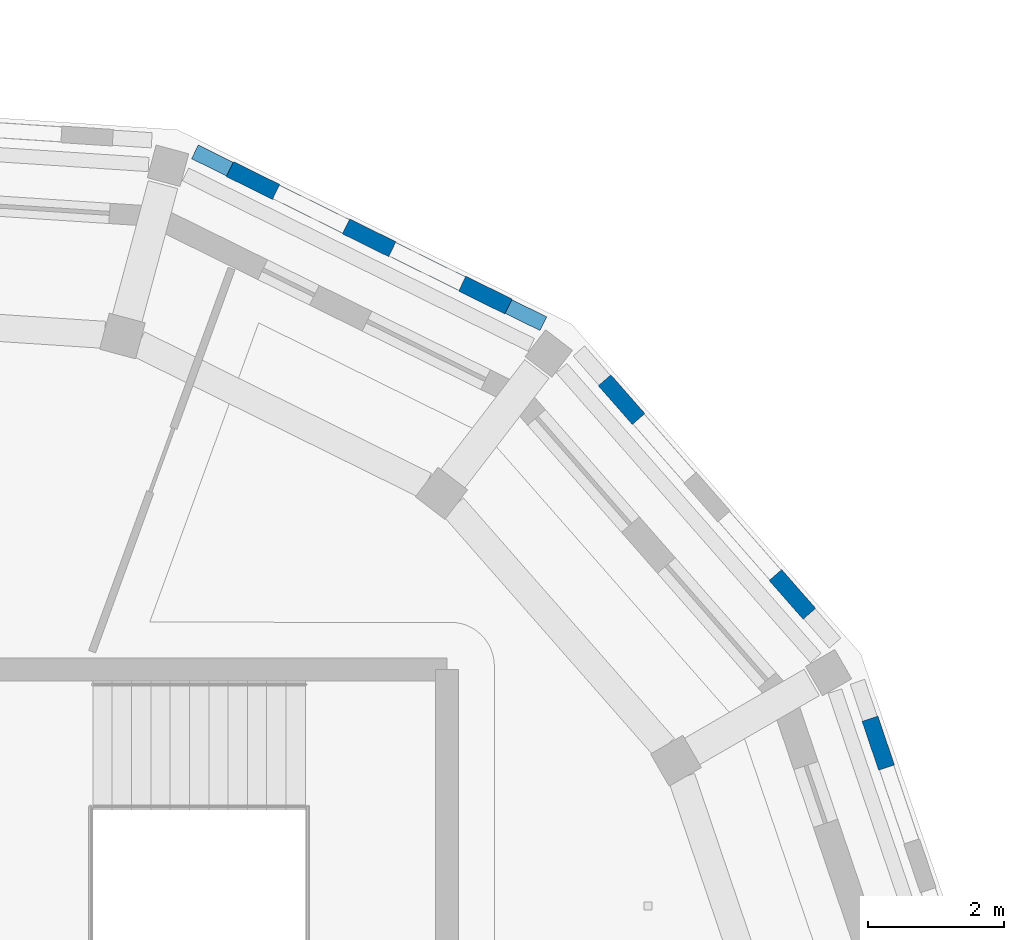
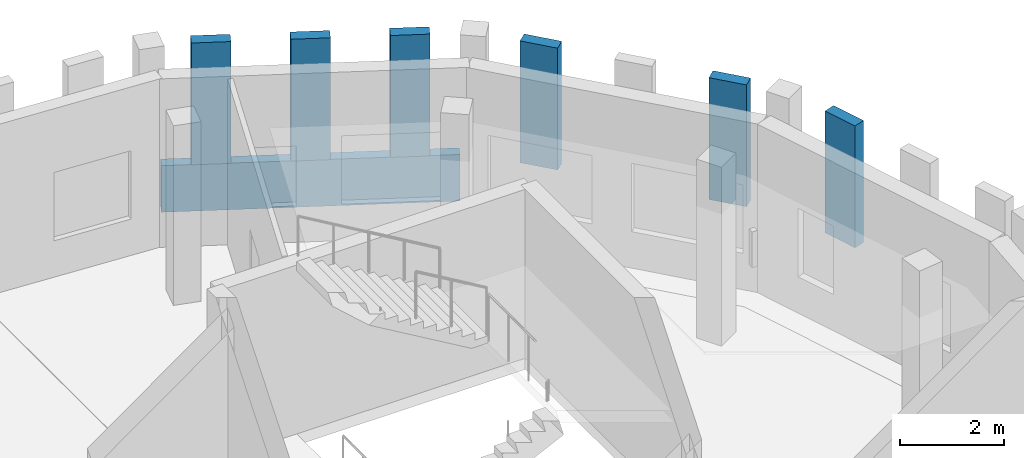
# One storey, part 72 of 90: 7 walls.
"""IFC4 building model written with IfcOpenShell, lengths in metres."""

from ifc_helpers import new_model, si_unit, direction, frame, frame_2d, origin, place, context, subcontext, project, spatial, rectangle, extrude, material, layer, layer_set, type_object, element, save


model = new_model("IFC4")

# Units and contexts
model_context = context("Model", 3, precision=1e-05, world=origin(), true_north=direction((0.0, 1.0)))
body_context = subcontext(model_context, "Body", "Model", "MODEL_VIEW")
ifc_project = project(units=[si_unit("LENGTHUNIT", "METRE"), si_unit("AREAUNIT", "SQUARE_METRE"), si_unit("VOLUMEUNIT", "CUBIC_METRE"), si_unit("PLANEANGLEUNIT", "RADIAN"), si_unit("MASSUNIT", "GRAM", prefix="KILO")], contexts=[model_context])

# Site, building, storey
site_placement = place(None, origin())
site = spatial("IfcSite", under=ifc_project, at=site_placement, CompositionType="ELEMENT")
building_placement = place(site_placement, origin())
building = spatial("IfcBuilding", under=site, at=building_placement, Name="Wrenclough Park School", CompositionType="ELEMENT")
storey_placement = place(building_placement, frame((0.0, 0.0, 8.39990234375)))
storey = spatial("IfcBuildingStorey", under=building, at=storey_placement, Name="L02", CompositionType="ELEMENT", Elevation=8.39990234375)

# Walls
ifc_material_1 = material(Name="Perforated open-bond Staffordshire and Manchester brick screen pier", Category="masonry")
ifc_layer_1 = layer(ifc_material_1, 0.2451171875)
ifc_layer_set_1 = layer_set([ifc_layer_1], Name="Perforated open-bond Staffordshire and Manchester brick screen pier")
wall_type_1 = type_object("IfcWallType", Name="ENV-BS-PR245", PredefinedType="ELEMENTEDWALL", material=ifc_layer_set_1)
wall_1_placement = place(storey_placement, frame((189.25439453125, 100.125, 1.090087890625), z_axis=(0.0, 0.0, 1.0), x_axis=(-0.321332364617, 0.946966478525, 0.0)))
element("IfcWall", 1, at=wall_1_placement, inside=storey, type_object=wall_type_1, Name="D5 L02 perforated brick screen pier 0588", PredefinedType="ELEMENTEDWALL", context=body_context, shape_type="SweptSolid", body=[
    extrude(rectangle(XDim=0.759765625, YDim=0.2451171875, at=frame_2d((0.3798828125, 0.0))), origin(), (0.0, 0.0, 1.0), 2.85009765625),
])
wall_2_placement = place(storey_placement, frame((188.115966796875, 102.393798828125, 1.090087890625), z_axis=(0.0, 0.0, 1.0), x_axis=(-0.659504701015, 0.751700438565, 0.0)))
element("IfcWall", 2, at=wall_2_placement, inside=storey, type_object=wall_type_1, Name="D5 L02 perforated brick screen pier 0589", PredefinedType="ELEMENTEDWALL", context=body_context, shape_type="SweptSolid", body=[
    extrude(rectangle(XDim=0.760009765625, YDim=0.2451171875, at=frame_2d((0.3798828125, 0.0))), origin(), (0.0, 0.0, 1.0), 2.85009765625),
])
wall_3_placement = place(storey_placement, frame((185.596435546875, 105.2666015625, 1.090087890625), z_axis=(0.0, 0.0, 1.0), x_axis=(-0.659345470196, 0.751840109951, 0.0)))
element("IfcWall", 3, at=wall_3_placement, inside=storey, type_object=wall_type_1, Name="D5 L02 perforated brick screen pier 0591", PredefinedType="ELEMENTEDWALL", context=body_context, shape_type="SweptSolid", body=[
    extrude(rectangle(XDim=0.76025390625, YDim=0.2451171875, at=frame_2d((0.380126953125, 0.0))), origin(), (0.0, 0.0, 1.0), 2.85009765625),
])
for number, where, z_axis, x_axis, name in (
    (4, (183.67626953125, 106.92724609375, 1.090087890625), (0.0, 0.0, 1.0), (-0.896855160379, 0.442324339485, 0.0), "D5 L02 perforated brick screen pier 0592"),
    (5, (181.96240234375, 107.7724609375, 1.090087890625), (0.0, 0.0, 1.0), (-0.896855160379, 0.442324339485, 0.0), "D5 L02 perforated brick screen pier 0593"),
    (6, (180.24853515625, 108.61767578125, 1.090087890625), (0.0, 0.0, 1.0), (-0.896855160379, 0.442324339485, 0.0), "D5 L02 perforated brick screen pier 0594"),
):
    element("IfcWall", number, at=place(storey_placement, frame(where, z_axis=z_axis, x_axis=x_axis)), inside=storey, type_object=wall_type_1, Name=name, PredefinedType="ELEMENTEDWALL", context=body_context, shape_type="SweptSolid", body=[
        extrude(rectangle(XDim=0.760009765625, YDim=0.2451171875, at=frame_2d((0.3798828125, 0.0))), origin(), (0.0, 0.0, 1.0), 2.85009765625),
    ])
ifc_material_2 = material(Name="Open-bond Manchester multi-stock brick spandrel screen", Category="masonry")
ifc_layer_2 = layer(ifc_material_2, 0.22509765625)
ifc_layer_set_2 = layer_set([ifc_layer_2], Name="Open-bond Manchester multi-stock brick spandrel screen")
wall_type_2 = type_object("IfcWallType", Name="ENV-BS-SP225", PredefinedType="ELEMENTEDWALL", material=ifc_layer_set_2)
wall_4_placement = place(storey_placement, frame((184.1923828125, 106.672607421875, 0.0), z_axis=(0.0, 0.0, 1.0), x_axis=(-0.896866705119, 0.442300930644, 0.0)))
element("IfcWall", 7, at=wall_4_placement, inside=storey, type_object=wall_type_2, Name="D5 L02 open-bond brick screen spandrel 0162", PredefinedType="ELEMENTEDWALL", context=body_context, shape_type="SweptSolid", body=[
    extrude(rectangle(XDim=5.73291015625, YDim=0.22509765625, at=frame_2d((2.866455078125, 0.0))), origin(), (0.0, 0.0, 1.0), 1.090087890625),
])

save(model, "model.ifc")
